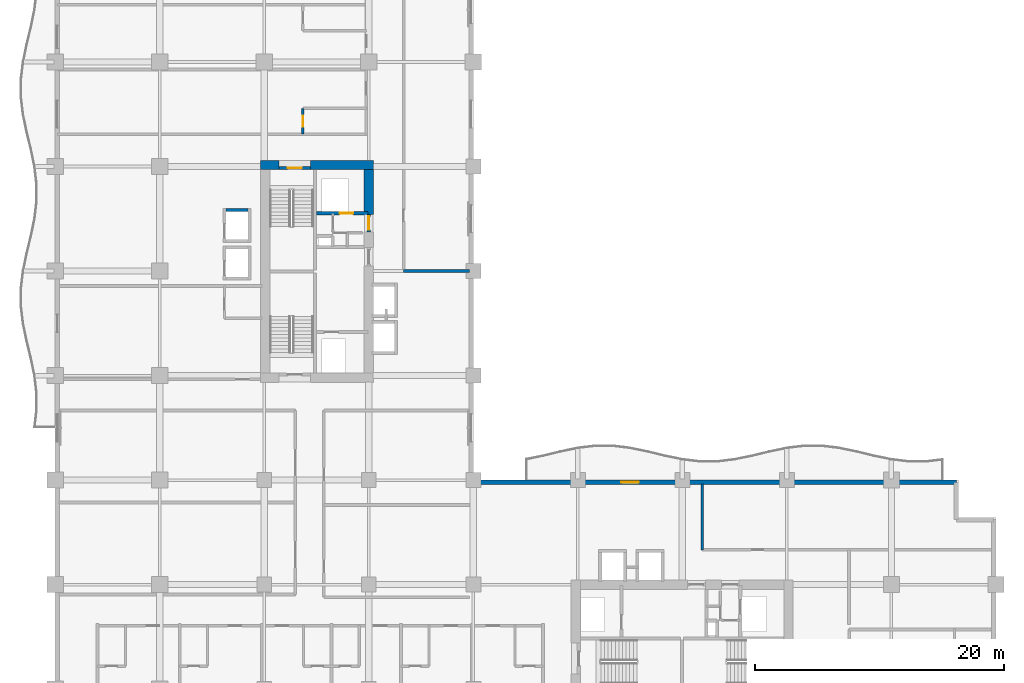
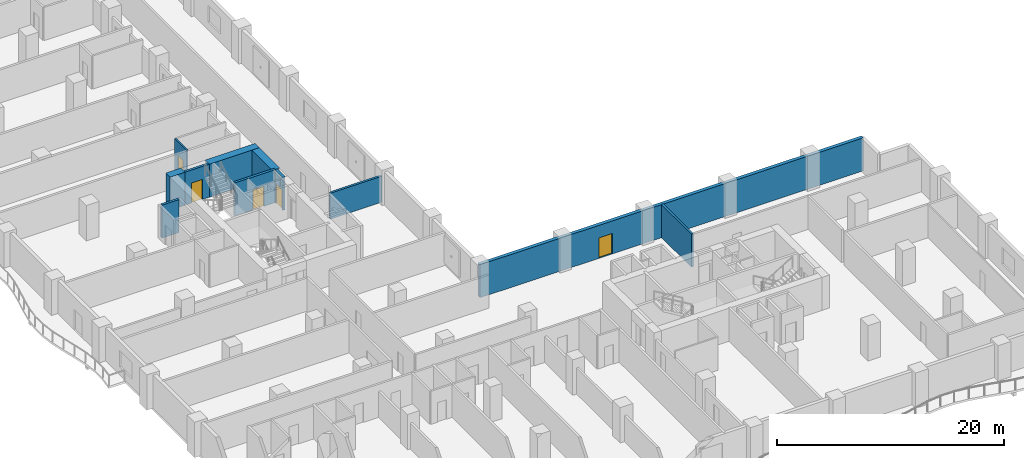
# One storey, part 8 of 17: 11 walls, 5 doors, 5 openings.
"""IFC4 building model written with IfcOpenShell, lengths in metres."""

from ifc_helpers import new_model, si_unit, direction, frame, frame_2d, origin, place, context, subcontext, project, spatial, rectangle, extrude, material, layer, layer_set, type_object, element, fill, save


model = new_model("IFC4")

# Units and contexts
model_context = context("Model", 3, precision=1e-05, world=origin(), true_north=direction((0.0, 1.0)))
body_context = subcontext(model_context, "Body", "Model", "MODEL_VIEW")
ifc_project = project(units=[si_unit("LENGTHUNIT", "METRE"), si_unit("AREAUNIT", "SQUARE_METRE"), si_unit("VOLUMEUNIT", "CUBIC_METRE"), si_unit("PLANEANGLEUNIT", "RADIAN"), si_unit("MASSUNIT", "GRAM", prefix="KILO")], contexts=[model_context])

# Site, building, storey
site_placement = place(None, origin())
site = spatial("IfcSite", under=ifc_project, at=site_placement, CompositionType="ELEMENT")
building_placement = place(site_placement, origin())
building = spatial("IfcBuilding", under=site, at=building_placement, Name="Koriwani Terraces Tower", CompositionType="ELEMENT")
storey_placement = place(building_placement, frame((0.0, 0.0, 122.800048828125)))
storey = spatial("IfcBuildingStorey", under=building, at=storey_placement, Name="L29", CompositionType="ELEMENT", Elevation=122.800048828125)

# Walls
ifc_material_1 = material(Name="Concrete C60/75", Category="concrete")
ifc_layer_1 = layer(ifc_material_1, 0.75, Name="Concrete C60/75")
ifc_layer_set_1 = layer_set([ifc_layer_1], Name="Concrete C60/75")
wall_type_1 = type_object("IfcWallType", Name="WALL_CORE_RC_750", PredefinedType="SHEAR", material=ifc_layer_set_1)
wall_1_placement = place(storey_placement, frame((16.5, 58.925048828125, 0.0), z_axis=(0.0, 0.0, 1.0), x_axis=(1.0, 0.0, 0.0)))
element("IfcWall", 1, at=wall_1_placement, inside=storey, type_object=wall_type_1, Name="L29 West Split Core Shear Wall N1", PredefinedType="SHEAR", context=body_context, shape_type="SweptSolid", body=[
    extrude(rectangle(XDim=1.5, YDim=0.75, at=frame_2d((0.75, 0.0))), origin(), (0.0, 0.0, 1.0), 3.550048828125),
])
wall_2_placement = place(storey_placement, frame((20.5, 58.925048828125, 0.0), z_axis=(0.0, 0.0, 1.0), x_axis=(1.0, 0.0, 0.0)))
element("IfcWall", 2, at=wall_2_placement, inside=storey, type_object=wall_type_1, Name="L29 West Split Core Shear Wall N2", PredefinedType="SHEAR", context=body_context, shape_type="SweptSolid", body=[
    extrude(rectangle(XDim=5.074951171875, YDim=0.75, at=frame_2d((2.53759765625, 0.0))), origin(), (0.0, 0.0, 1.0), 3.550048828125),
])
wall_3_placement = place(storey_placement, frame((25.199951171875, 54.949951171875, 0.0), z_axis=(0.0, 0.0, 1.0), x_axis=(0.0, 1.0, 0.0)))
element("IfcWall", 3, at=wall_3_placement, inside=storey, type_object=wall_type_1, Name="L29 West Split Core Shear Wall E3", PredefinedType="SHEAR", context=body_context, shape_type="SweptSolid", body=[
    extrude(rectangle(XDim=3.60009765625, YDim=0.75, at=frame_2d((1.800048828125, 0.0))), origin(), (0.0, 0.0, 1.0), 3.550048828125),
])
ifc_material_2 = material(Name="Autoclaved Cellular Concrete Blockwork", Category="masonry")
ifc_layer_2 = layer(ifc_material_2, 0.219970703125, Name="Autoclaved Cellular Concrete Blockwork")
ifc_layer_set_2 = layer_set([ifc_layer_2], Name="Autoclaved Cellular Concrete Blockwork")
wall_type_2 = type_object("IfcWallType", Name="WALL_DEMISING_220", PredefinedType="PARTITIONING", material=ifc_layer_set_2)
wall_4_placement = place(storey_placement, frame((28.0, 50.39990234375, 0.0), z_axis=(0.0, 0.0, 1.0), x_axis=(1.0, 0.0, 0.0)))
element("IfcWall", 4, at=wall_4_placement, inside=storey, type_object=wall_type_2, Name="L29 Interior Wall WNEC-S-L29", PredefinedType="PARTITIONING", context=body_context, shape_type="SweptSolid", body=[
    extrude(rectangle(XDim=5.300048828125, YDim=0.219970703125, at=frame_2d((2.64990234375, 0.0))), origin(), (0.0, 0.0, 1.0), 2.800048828125),
])
wall_5_placement = place(storey_placement, frame((52.0, 28.0, 0.0), z_axis=(0.0, 0.0, 1.0), x_axis=(0.0, 1.0, 0.0)))
element("IfcWall", 5, at=wall_5_placement, inside=storey, type_object=wall_type_2, Name="L29 Interior Wall WSET2-W-L29", PredefinedType="PARTITIONING", context=body_context, shape_type="SweptSolid", body=[
    extrude(rectangle(XDim=5.300048828125, YDim=0.219970703125, at=frame_2d((2.64990234375, 0.0))), origin(), (0.0, 0.0, 1.0), 3.550048828125),
])

# Wall, opening, door
ifc_material_3 = material(Name="Concrete C50/60", Category="concrete")
ifc_layer_3 = layer(ifc_material_3, 0.35009765625, Name="Concrete C50/60")
ifc_layer_set_3 = layer_set([ifc_layer_3], Name="Concrete C50/60")
wall_type_3 = type_object("IfcWallType", Name="WALL_EXT_BRUTALIST_350", PredefinedType="STANDARD", material=ifc_layer_set_3)
wall_6_placement = place(storey_placement, frame((33.425048828125, 33.425048828125, 0.0), z_axis=(0.0, 0.0, 1.0), x_axis=(1.0, 0.0, 0.0)))
wall_6 = element("IfcWall", 6, at=wall_6_placement, inside=storey, type_object=wall_type_3, Name="L29 Fair-Faced Brutalist Exterior Wall (NE)", PredefinedType="STANDARD", context=body_context, shape_type="SweptSolid", body=[
    extrude(rectangle(XDim=39.0, YDim=0.35009765625, at=frame_2d((19.5, 0.0))), origin(), (0.0, 0.0, 1.0), 3.550048828125),
])
opening_1_placement = place(wall_6_placement, frame((12.074951171875, 0.0, 0.0)))
opening_1 = element("IfcOpeningElement", 7, at=opening_1_placement, cuts=wall_6, Name="Opening D-09", PredefinedType="OPENING", context=body_context, shape_type="SweptSolid", body=[
    extrude(rectangle(XDim=1.39990234375, YDim=2.199951171875, at=frame_2d((0.699951171875, 1.10009765625))), frame((0.0, 0.18505859375, 0.0), z_axis=(0.0, -1.0, 0.0), x_axis=(1.0, 0.0, 0.0)), (0.0, 0.0, 1.0), 0.3701171875),
])
ifc_material_4 = material(Name="Anodised Bronze Aluminium", Category="aluminium")
door_type_1 = type_object("IfcDoorType", Name="DOOR_BALCONY_GLAZED_1400X2200", OperationType="NOTDEFINED", PredefinedType="DOOR", material=ifc_material_4)
door_1_placement = place(opening_1_placement, origin())
door_1 = element("IfcDoor", 8, at=door_1_placement, inside=storey, type_object=door_type_1, Name="L29 Inner Court Balcony Glazed Door", OperationType="SINGLE_SWING_LEFT", OverallHeight=2.199951171875, OverallWidth=1.39990234375, PredefinedType="DOOR", context=body_context, shape_type="SweptSolid", body=[
    extrude(rectangle(XDim=1.39990234375, YDim=2.199951171875, at=frame_2d((0.699951171875, 1.10009765625))), frame((0.0, 0.02490234375, 0.0), z_axis=(0.0, -1.0, 0.0), x_axis=(1.0, 0.0, 0.0)), (0.0, 0.0, 1.0), 0.050048828125),
])
fill(opening_1, door_1)

ifc_material_5 = material(Name="Fire-Rated Acoustic Gypsum Partition", Category="masonry")
ifc_layer_4 = layer(ifc_material_5, 0.179931640625, Name="Fire-Rated Acoustic Gypsum Partition")
ifc_layer_set_4 = layer_set([ifc_layer_4], Name="Fire-Rated Acoustic Gypsum Partition")
wall_type_4 = type_object("IfcWallType", Name="WALL_PLUMBING_180", PredefinedType="PLUMBINGWALL", material=ifc_layer_set_4)
wall_7_placement = place(storey_placement, frame((19.89990234375, 61.39990234375, 0.0), z_axis=(0.0, 0.0, 1.0), x_axis=(0.0, 1.0, 0.0)))
wall_7 = element("IfcWall", 9, at=wall_7_placement, inside=storey, type_object=wall_type_4, Name="L29 Interior Wall WBTH1-L29-NE-0", PredefinedType="PLUMBINGWALL", context=body_context, shape_type="SweptSolid", body=[
    extrude(rectangle(XDim=2.080078125, YDim=0.179931640625, at=frame_2d((1.0400390625, 0.0))), origin(), (0.0, 0.0, 1.0), 3.550048828125),
])
opening_2_placement = place(wall_7_placement, frame((0.590087890625, 0.0, 0.0)))
opening_2 = element("IfcOpeningElement", 10, at=opening_2_placement, cuts=wall_7, Name="Opening D-07", PredefinedType="OPENING", context=body_context, shape_type="SweptSolid", body=[
    extrude(rectangle(XDim=0.89990234375, YDim=2.10009765625, at=frame_2d((0.449951171875, 1.050048828125))), frame((0.0, 0.10009765625, 0.0), z_axis=(0.0, -1.0, 0.0), x_axis=(1.0, 0.0, 0.0)), (0.0, 0.0, 1.0), 0.199951171875),
])
ifc_material_6 = material(Name="Architectural Oak Fire Door", Category="wood")
door_type_2 = type_object("IfcDoorType", Name="DOOR_BATH_INT_900X2100", OperationType="NOTDEFINED", PredefinedType="DOOR", material=ifc_material_6)
door_2_placement = place(opening_2_placement, origin())
door_2 = element("IfcDoor", 11, at=door_2_placement, inside=storey, type_object=door_type_2, Name="En-Suite Bathroom 29NE1 Door", OperationType="SINGLE_SWING_RIGHT", OverallHeight=2.10009765625, OverallWidth=0.89990234375, PredefinedType="DOOR", context=body_context, shape_type="SweptSolid", body=[
    extrude(rectangle(XDim=0.89990234375, YDim=2.10009765625, at=frame_2d((0.449951171875, 1.050048828125))), frame((0.0, 0.02490234375, 0.0), z_axis=(0.0, -1.0, 0.0), x_axis=(1.0, 0.0, 0.0)), (0.0, 0.0, 1.0), 0.050048828125),
])
fill(opening_2, door_2)

ifc_material_7 = material(Name="Concrete C40/50", Category="concrete")
ifc_layer_5 = layer(ifc_material_7, 0.25, Name="Concrete C40/50")
ifc_layer_set_5 = layer_set([ifc_layer_5], Name="Concrete C40/50")
wall_type_5 = type_object("IfcWallType", Name="WALL_SHAFT_RATED_250", PredefinedType="SOLIDWALL", material=ifc_layer_set_5)
wall_8_placement = place(storey_placement, frame((18.0, 58.675048828125, 0.0), z_axis=(0.0, 0.0, 1.0), x_axis=(1.0, 0.0, 0.0)))
wall_8 = element("IfcWall", 12, at=wall_8_placement, inside=storey, type_object=wall_type_5, Name="L29 Interior Wall WIN-CW-L29-STN", PredefinedType="SOLIDWALL", context=body_context, shape_type="SweptSolid", body=[
    extrude(rectangle(XDim=2.5, YDim=0.25, at=frame_2d((1.25, 0.0))), origin(), (0.0, 0.0, 1.0), 3.550048828125),
])
opening_3_placement = place(wall_8_placement, frame((0.699951171875, 0.0, 0.0)))
opening_3 = element("IfcOpeningElement", 13, at=opening_3_placement, cuts=wall_8, Name="Opening D-03", PredefinedType="OPENING", context=body_context, shape_type="SweptSolid", body=[
    extrude(rectangle(XDim=1.10009765625, YDim=2.14990234375, at=frame_2d((0.550048828125, 1.074951171875))), frame((0.0, 0.135009765625, 0.0), z_axis=(0.0, -1.0, 0.0), x_axis=(1.0, 0.0, 0.0)), (0.0, 0.0, 1.0), 0.27001953125),
])
ifc_material_8 = material(Name="Steel ASTM A572 Grade 50", Category="steel")
door_type_3 = type_object("IfcDoorType", Name="DOOR_STAIR_FIRE_1100X2150", OperationType="NOTDEFINED", PredefinedType="DOOR", material=ifc_material_8)
door_3_placement = place(opening_3_placement, origin())
door_3 = element("IfcDoor", 14, at=door_3_placement, inside=storey, type_object=door_type_3, Name="L29 Exit Stair ST-W2 Door", OperationType="SINGLE_SWING_RIGHT", OverallHeight=2.14990234375, OverallWidth=1.10009765625, PredefinedType="DOOR", context=body_context, shape_type="SweptSolid", body=[
    extrude(rectangle(XDim=1.10009765625, YDim=2.14990234375, at=frame_2d((0.550048828125, 1.074951171875))), frame((0.0, 0.02490234375, 0.0), z_axis=(0.0, -1.0, 0.0), x_axis=(1.0, 0.0, 0.0)), (0.0, 0.0, 1.0), 0.050048828125),
])
fill(opening_3, door_3)

wall_9_placement = place(storey_placement, frame((21.0, 55.050048828125, 0.0), z_axis=(0.0, 0.0, 1.0), x_axis=(1.0, 0.0, 0.0)))
wall_9 = element("IfcWall", 15, at=wall_9_placement, inside=storey, type_object=wall_type_5, Name="L29 Interior Wall WIN-CW-L29-SE", PredefinedType="SOLIDWALL", context=body_context, shape_type="SweptSolid", body=[
    extrude(rectangle(XDim=4.14990234375, YDim=0.25, at=frame_2d((2.074951171875, 0.0))), origin(), (0.0, 0.0, 1.0), 3.550048828125),
])
opening_4_placement = place(wall_9_placement, frame((1.85009765625, 0.0, 0.0)))
opening_4 = element("IfcOpeningElement", 16, at=opening_4_placement, cuts=wall_9, Name="Opening LD-01", PredefinedType="OPENING", context=body_context, shape_type="SweptSolid", body=[
    extrude(rectangle(XDim=1.10009765625, YDim=2.14990234375, at=frame_2d((0.550048828125, 1.074951171875))), frame((0.0, 0.135009765625, 0.0), z_axis=(0.0, -1.0, 0.0), x_axis=(1.0, 0.0, 0.0)), (0.0, 0.0, 1.0), 0.27001953125),
])
door_type_4 = type_object("IfcDoorType", Name="DOOR_LIFT_LANDING_1100X2200", OperationType="NOTDEFINED", PredefinedType="DOOR", material=ifc_material_8)
door_4_placement = place(opening_4_placement, origin())
door_4 = element("IfcDoor", 17, at=door_4_placement, inside=storey, type_object=door_type_4, Name="L29 Goods Lift SE-01 Landing Door", OperationType="SLIDING_TO_LEFT", OverallHeight=2.14990234375, OverallWidth=1.10009765625, PredefinedType="DOOR", context=body_context, shape_type="SweptSolid", body=[
    extrude(rectangle(XDim=1.10009765625, YDim=2.14990234375, at=frame_2d((0.550048828125, 1.074951171875))), frame((0.0, 0.02490234375, 0.0), z_axis=(0.0, -1.0, 0.0), x_axis=(1.0, 0.0, 0.0)), (0.0, 0.0, 1.0), 0.050048828125),
])
fill(opening_4, door_4)

wall_10_placement = place(storey_placement, frame((25.199951171875, 53.550048828125, 0.0), z_axis=(0.0, 0.0, 1.0), x_axis=(0.0, 1.0, 0.0)))
wall_10 = element("IfcWall", 18, at=wall_10_placement, inside=storey, type_object=wall_type_5, Name="L29 Interior Wall WIN-CW-L29-EP2", PredefinedType="SOLIDWALL", context=body_context, shape_type="SweptSolid", body=[
    extrude(rectangle(XDim=1.39990234375, YDim=0.25, at=frame_2d((0.699951171875, 0.0))), origin(), (0.0, 0.0, 1.0), 3.550048828125),
])
opening_5_placement = place(wall_10_placement, frame((0.14990234375, 0.0, 0.0)))
opening_5 = element("IfcOpeningElement", 19, at=opening_5_placement, cuts=wall_10, Name="Opening D-03", PredefinedType="OPENING", context=body_context, shape_type="SweptSolid", body=[
    extrude(rectangle(XDim=1.10009765625, YDim=2.14990234375, at=frame_2d((0.550048828125, 1.074951171875))), frame((0.0, 0.135009765625, 0.0), z_axis=(0.0, -1.0, 0.0), x_axis=(1.0, 0.0, 0.0)), (0.0, 0.0, 1.0), 0.27001953125),
])
door_5_placement = place(opening_5_placement, origin())
door_5 = element("IfcDoor", 20, at=door_5_placement, inside=storey, type_object=door_type_3, Name="L29 West Goods Lift Lobby Door", OperationType="SINGLE_SWING_RIGHT", OverallHeight=2.14990234375, OverallWidth=1.10009765625, PredefinedType="DOOR", context=body_context, shape_type="SweptSolid", body=[
    extrude(rectangle(XDim=1.10009765625, YDim=2.14990234375, at=frame_2d((0.550048828125, 1.074951171875))), frame((0.0, 0.02490234375, 0.0), z_axis=(0.0, -1.0, 0.0), x_axis=(1.0, 0.0, 0.0)), (0.0, 0.0, 1.0), 0.050048828125),
])
fill(opening_5, door_5)

# Wall
wall_11_placement = place(storey_placement, frame((13.72509765625, 55.300048828125, 0.0), z_axis=(0.0, 0.0, 1.0), x_axis=(1.0, 0.0, 0.0)))
element("IfcWall", 21, at=wall_11_placement, inside=storey, type_object=wall_type_5, Name="L29 Interior Wall WIN-LF-PE-M2-L29-N", PredefinedType="SOLIDWALL", context=body_context, shape_type="SweptSolid", body=[
    extrude(rectangle(XDim=1.75, YDim=0.25, at=frame_2d((0.875, 0.0))), origin(), (0.0, 0.0, 1.0), 3.550048828125),
])

save(model, "model.ifc")
